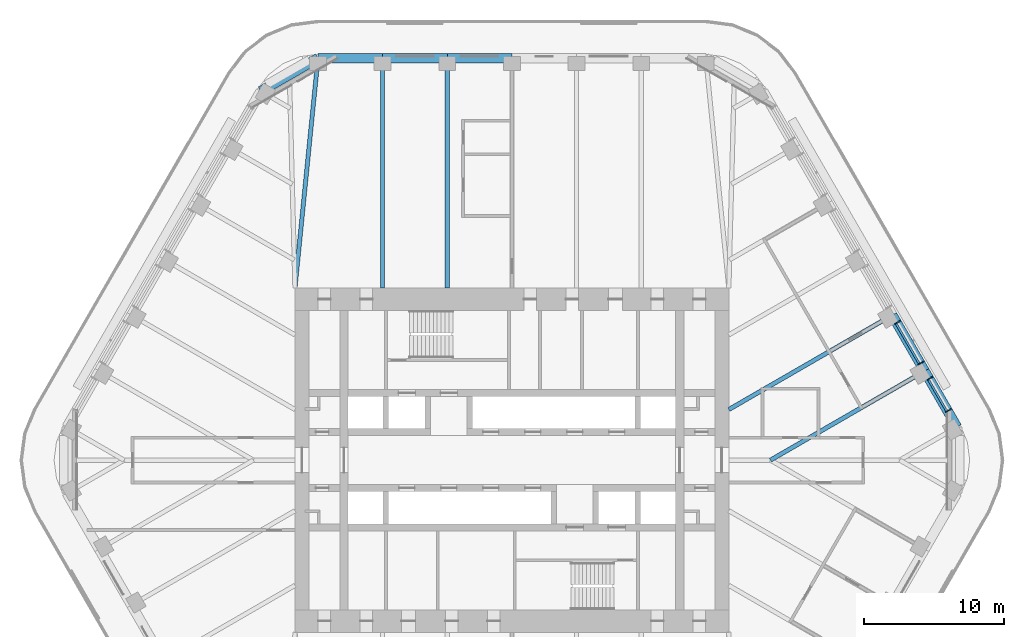
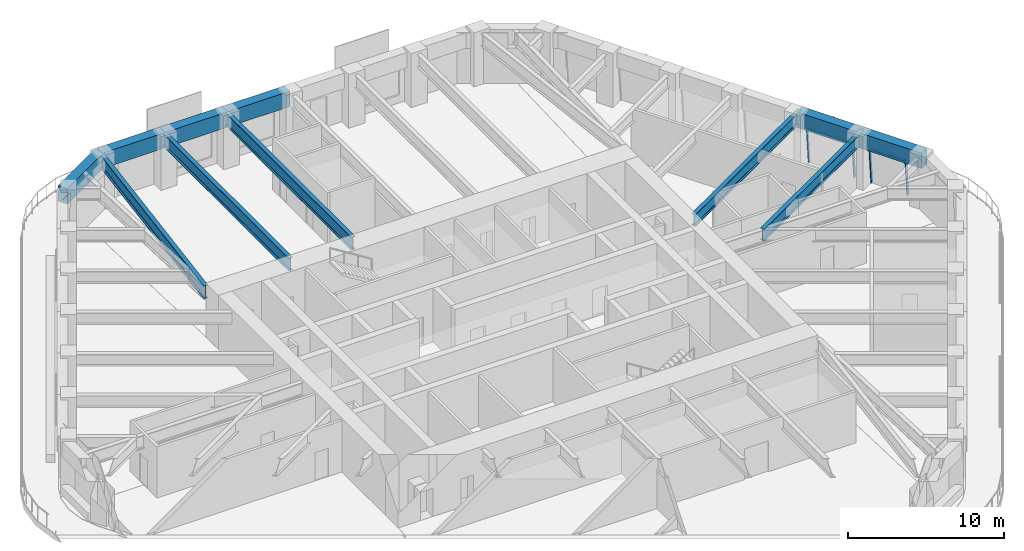
# One storey, part 9 of 20: 11 beams, 6 members, 2 elements without a shape of their own.
"""IFC4 building model written with IfcOpenShell, lengths in metres."""

import ifcopenshell
import ifcopenshell.guid

model = None  # the IFC model being written
_history = None  # IfcOwnerHistory: only IFC2X3 demands one
_inside = {}  # id of a spatial element -> (the spatial element, [elements in it])
_under = {}  # id of a project, library or spatial element -> (it, [spatial elements below it])
_declared = {}  # id of a project -> (the project, [libraries it declares])
_typed = {}  # id of a type object -> (the type object, [elements of that type])
_made_of = {}  # id of a material, layer set ... -> (it, [elements and type objects made of it])


def new_model(schema):
    """Start an empty IFC model of exactly this schema.

    Asked for "IFC4X3", IfcOpenShell would pick the latest addendum, in which some entities
    have other attributes; the version numbers below select the first issue.
    IFC2X3 requires an IfcOwnerHistory on every rooted entity: one is made here for all.
    """
    global model, _history
    if schema == "IFC4X3":
        model = ifcopenshell.file(schema_version=(4, 3, 0, 0))
    else:
        model = ifcopenshell.file(schema=schema)
    _inside.clear()
    _under.clear()
    _declared.clear()
    _typed.clear()
    _made_of.clear()
    _history = None
    if model.schema == "IFC2X3":
        org = make("IfcOrganization", Name="unknown")
        user = make(
            "IfcPersonAndOrganization",
            ThePerson=make("IfcPerson", FamilyName="unknown"),
            TheOrganization=org,
        )
        app = make(
            "IfcApplication",
            ApplicationDeveloper=org,
            Version="unknown",
            ApplicationFullName="unknown",
            ApplicationIdentifier="unknown",
        )
        _history = make(
            "IfcOwnerHistory",
            OwningUser=user,
            OwningApplication=app,
            ChangeAction="ADDED",
            CreationDate=0,
        )
    return model


def make(cls, **values):
    """One entity of the class cls with the attributes given. An attribute that is None is left unset."""
    return model.create_entity(
        cls, **{name: value for name, value in values.items() if value is not None}
    )


def rooted(cls, **values):
    """An entity with a GlobalId (a new one), such as an element, a storey or a relation."""
    return make(cls, GlobalId=ifcopenshell.guid.new(), OwnerHistory=_history, **values)


def si_unit(unit_type, name, prefix=None):
    """IfcSIUnit, for example si_unit("LENGTHUNIT", "METRE", prefix="MILLI")."""
    return make("IfcSIUnit", UnitType=unit_type, Prefix=prefix, Name=name)


def assignment(units):
    """IfcUnitAssignment: the units of a project."""
    return None if units is None else make("IfcUnitAssignment", Units=units)


def point(xyz):
    """IfcCartesianPoint."""
    return None if xyz is None else make("IfcCartesianPoint", Coordinates=xyz)


def direction(xyz):
    """IfcDirection."""
    return None if xyz is None else make("IfcDirection", DirectionRatios=xyz)


def frame(location, z_axis=None, x_axis=None):
    """IfcAxis2Placement3D, a coordinate frame: its origin and axes. An axis left out is left unset."""
    return make(
        "IfcAxis2Placement3D",
        Location=point(location),
        Axis=direction(z_axis),
        RefDirection=direction(x_axis),
    )


def frame_2d(location, x_axis=None):
    """IfcAxis2Placement2D, a coordinate frame in the plane: its origin and x axis."""
    return make(
        "IfcAxis2Placement2D", Location=point(location), RefDirection=direction(x_axis)
    )


def origin():
    """The frame at (0, 0, 0) with its axes left unset."""
    return frame((0.0, 0.0, 0.0))


def origin_2d():
    """The frame at (0, 0) in the plane with its x axis left unset."""
    return frame_2d((0.0, 0.0))


def place(relative_to, where):
    """IfcLocalPlacement: puts the frame where relative to a parent placement (None: the world)."""
    return make(
        "IfcLocalPlacement", PlacementRelTo=relative_to, RelativePlacement=where
    )


def context(
    kind, dimensions, precision=None, world=None, true_north=None, identifier=None
):
    """IfcGeometricRepresentationContext, for example the 3D "Model" context."""
    return make(
        "IfcGeometricRepresentationContext",
        ContextIdentifier=identifier,
        ContextType=kind,
        CoordinateSpaceDimension=dimensions,
        Precision=precision,
        WorldCoordinateSystem=world,
        TrueNorth=true_north,
    )


def subcontext(parent, identifier, kind, view, scale=None):
    """IfcGeometricRepresentationSubContext, for example "Body" below "Model"."""
    return make(
        "IfcGeometricRepresentationSubContext",
        ContextIdentifier=identifier,
        ContextType=kind,
        ParentContext=parent,
        TargetScale=scale,
        TargetView=view,
    )


def project(units=None, contexts=None):
    """IfcProject with its units and contexts."""
    return rooted(
        "IfcProject",
        Name="project",
        RepresentationContexts=contexts,
        UnitsInContext=assignment(units),
    )


def spatial(cls, under=None, at=None, **own):
    """A site, building, storey or space (cls), placed at a placement, below another one or the project."""
    s = rooted(cls, ObjectPlacement=at, **own)
    if under is not None:
        _under.setdefault(under.id(), (under, []))[1].append(s)
    return s


def profile(cls, at=None, kind="AREA", **sizes):
    """A parametric profile (cls). Its sizes go by their IFC names, for example OverallWidth=200.0."""
    return make(cls, ProfileType=kind, Position=at, **sizes)


def rectangle(**sizes):
    """IfcRectangleProfileDef."""
    return profile("IfcRectangleProfileDef", **sizes)


def i_section(**sizes):
    """IfcIShapeProfileDef."""
    return profile("IfcIShapeProfileDef", **sizes)


def extrude(swept, where, along, depth):
    """IfcExtrudedAreaSolid: the profile swept, set in the frame where, extruded along a direction by depth."""
    return make(
        "IfcExtrudedAreaSolid",
        SweptArea=swept,
        Position=where,
        ExtrudedDirection=direction(along),
        Depth=depth,
    )


def shape(context_of_items, identifier, shape_type, items):
    """IfcShapeRepresentation: the items that make up one representation, for example the "Body"."""
    return make(
        "IfcShapeRepresentation",
        ContextOfItems=context_of_items,
        RepresentationIdentifier=identifier,
        RepresentationType=shape_type,
        Items=items,
    )


def material(Name=None, Category=None):
    """IfcMaterial."""
    return make("IfcMaterial", Name=Name, Category=Category)


def material_profile(
    of_material, cross_section, Name=None, Category=None, Priority=None
):
    """IfcMaterialProfile: a cross section and its material."""
    return make(
        "IfcMaterialProfile",
        Name=Name,
        Material=of_material,
        Profile=cross_section,
        Priority=Priority,
        Category=Category,
    )


def profile_set(profiles, Name=None, composite=None):
    """IfcMaterialProfileSet."""
    return make(
        "IfcMaterialProfileSet",
        Name=Name,
        MaterialProfiles=profiles,
        CompositeProfile=composite,
    )


def made_of(thing, what):
    """Note that an element or type object is made of a material, layer set ...; save() writes the relation."""
    if what is not None:
        _made_of.setdefault(what.id(), (what, []))[1].append(thing)
    return thing


def type_object(cls, material=None, **own):
    """A type object (cls), such as IfcWallType, which elements share."""
    return made_of(rooted(cls, **own), material)


def element(
    cls,
    number,
    at=None,
    inside=None,
    cuts=None,
    type_object=None,
    material=None,
    context=None,
    identifier="Body",
    shape_type=None,
    held_by="IfcProductDefinitionShape",
    body=None,
    shapes=None,
    **own,
):
    """One element of the class cls, such as IfcWall. Its Tag is "e" and its number.

    at: its placement. inside: the storey or other place that contains it. cuts: it is an
    opening in that element (IfcRelVoidsElement). A single representation is given by context,
    identifier, shape_type and body (its items); several are given by shapes. held_by: the class
    of the entity that holds the representations. save() writes the other relations.
    """
    e = rooted(cls, Tag="e%d" % number, ObjectPlacement=at, **own)
    if body is not None:
        shapes = [shape(context, identifier, shape_type, body)]
    if shapes is not None:
        e.Representation = make(held_by, Representations=shapes)
    if inside is not None:
        _inside.setdefault(inside.id(), (inside, []))[1].append(e)
    if cuts is not None:
        rooted(
            "IfcRelVoidsElement", RelatingBuildingElement=cuts, RelatedOpeningElement=e
        )
    if type_object is not None:
        _typed.setdefault(type_object.id(), (type_object, []))[1].append(e)
    return made_of(e, material)


def aggregate(whole, parts):
    """IfcRelAggregates: a whole, such as a stair, and the parts it consists of."""
    return rooted("IfcRelAggregates", RelatingObject=whole, RelatedObjects=parts)


def save(model, path):
    """Write the relations noted so far, then the file.

    IfcRelAggregates (storeys below a building ...), IfcRelContainedInSpatialStructure (elements
    in a storey), IfcRelDefinesByType, IfcRelAssociatesMaterial and IfcRelDeclares: one each for
    every whole, place, type object, material and project.
    """
    for whole, parts in _under.values():
        aggregate(whole, parts)
    for where, things in _inside.values():
        rooted(
            "IfcRelContainedInSpatialStructure",
            RelatedElements=things,
            RelatingStructure=where,
        )
    for kind, things in _typed.values():
        rooted("IfcRelDefinesByType", RelatedObjects=things, RelatingType=kind)
    for what, things in _made_of.values():
        rooted("IfcRelAssociatesMaterial", RelatedObjects=things, RelatingMaterial=what)
    for by, libraries in _declared.values():
        rooted("IfcRelDeclares", RelatingContext=by, RelatedDefinitions=libraries)
    model.write(path)


model = new_model("IFC4")

# Units and contexts
model_context = context("Model", 3, precision=1e-05, world=origin(), true_north=direction((0.0, 1.0)))
body_context = subcontext(model_context, "Body", "Model", "MODEL_VIEW")
ifc_project = project(units=[si_unit("LENGTHUNIT", "METRE"), si_unit("AREAUNIT", "SQUARE_METRE"), si_unit("VOLUMEUNIT", "CUBIC_METRE"), si_unit("PLANEANGLEUNIT", "RADIAN"), si_unit("MASSUNIT", "GRAM", prefix="KILO")], contexts=[model_context])

# Site, building, storey
site_placement = place(None, origin())
site = spatial("IfcSite", under=ifc_project, at=site_placement, CompositionType="ELEMENT")
building_placement = place(site_placement, origin())
building = spatial("IfcBuilding", under=site, at=building_placement, Name="Tarfa Lantern Tower", CompositionType="ELEMENT")
storey_placement = place(building_placement, frame((0.0, 0.0, 265.89990234375)))
storey = spatial("IfcBuildingStorey", under=building, at=storey_placement, Name="L60", CompositionType="ELEMENT", Elevation=265.89990234375)

# Curtain wall, members
ifc_material_1 = material(Name="Aluminium framed curtain wall", Category="aluminium")
curtain_wall_type = type_object("IfcCurtainWallType", Name="CW3 CANTED GLAZING HIGH ZONE 2800", PredefinedType="USERDEFINED", material=ifc_material_1)
curtain_wall_1_placement = place(storey_placement, origin())
curtain_wall_1 = element("IfcCurtainWall", 1, at=curtain_wall_1_placement, inside=storey, type_object=curtain_wall_type, Name="CW3 NE L60", ObjectType="CURTAIN WALL", PredefinedType="USERDEFINED")
ifc_material_2 = material(Name="Aluminium mullion", Category="aluminium")
ifc_material_profile_1 = material_profile(ifc_material_2, rectangle(XDim=0.06494140625, YDim=0.199951171875, at=origin_2d()), Name="AL MULLION 65x200")
ifc_profile_set_1 = profile_set([ifc_material_profile_1], Name="Aluminium mullion")
member_type_1 = type_object("IfcMemberType", Name="CWM1 MULLION 65x200", PredefinedType="MULLION", material=ifc_profile_set_1)
member_1_placement = place(storey_placement, frame((31.2900390625, 3.60400390625, 0.0), z_axis=(-0.077032386753, -0.044465143199, 0.996036576854), x_axis=(0.499919672301, -0.866071776036, 0.0)))
member_1 = element("IfcMember", 2, at=member_1_placement, type_object=member_type_1, Name="CW3 mullion 1", PredefinedType="MULLION", context=body_context, shape_type="SweptSolid", body=[
    extrude(rectangle(XDim=0.06494140625, YDim=0.199951171875, at=origin_2d()), origin(), (0.0, 0.0, 1.0), 2.811279296875),
])
member_2_placement = place(storey_placement, frame((29.963134765625, 5.90234375, 0.0), z_axis=(-0.077032386753, -0.044465143199, 0.996036576854), x_axis=(0.499919672301, -0.866071776036, 0.0)))
member_2 = element("IfcMember", 3, at=member_2_placement, type_object=member_type_1, Name="CW3 mullion 2", PredefinedType="MULLION", context=body_context, shape_type="SweptSolid", body=[
    extrude(rectangle(XDim=0.06494140625, YDim=0.199951171875, at=origin_2d()), origin(), (0.0, 0.0, 1.0), 2.811279296875),
])

curtain_wall_2_placement = place(storey_placement, origin())
curtain_wall_2 = element("IfcCurtainWall", 4, at=curtain_wall_2_placement, inside=storey, type_object=curtain_wall_type, Name="CW3 NE L60", ObjectType="CURTAIN WALL", PredefinedType="USERDEFINED")
member_3_placement = place(storey_placement, frame((29.33056640625, 6.997802734375, 0.0), z_axis=(-0.076946055247, -0.044465440504, 0.996043236603), x_axis=(0.500342721131, -0.865827443207, 0.0)))
member_3 = element("IfcMember", 5, at=member_3_placement, type_object=member_type_1, Name="CW3 mullion 1", PredefinedType="MULLION", context=body_context, shape_type="SweptSolid", body=[
    extrude(rectangle(XDim=0.06494140625, YDim=0.199951171875, at=origin_2d()), origin(), (0.0, 0.0, 1.0), 2.811279296875),
])
member_4_placement = place(storey_placement, frame((27.65380859375, 9.90234375, 0.0), z_axis=(-0.077032386753, -0.044465143199, 0.996036576854), x_axis=(0.499919672301, -0.866071776036, 0.0)))
member_4 = element("IfcMember", 6, at=member_4_placement, type_object=member_type_1, Name="CW3 mullion 2", PredefinedType="MULLION", context=body_context, shape_type="SweptSolid", body=[
    extrude(rectangle(XDim=0.06494140625, YDim=0.199951171875, at=origin_2d()), origin(), (0.0, 0.0, 1.0), 2.811279296875),
])

# Member
ifc_material_3 = material(Name="Aluminium transom", Category="aluminium")
ifc_material_profile_2 = material_profile(ifc_material_3, rectangle(XDim=0.14990234375, YDim=0.06494140625, at=origin_2d()), Name="AL TRANSOM 150x65")
ifc_profile_set_2 = profile_set([ifc_material_profile_2], Name="Aluminium transom")
member_type_2 = type_object("IfcMemberType", Name="CWT1 TRANSOM 150x65", PredefinedType="USERDEFINED", material=ifc_profile_set_2)
member_5_placement = place(storey_placement, frame((31.059814453125, 3.508544921875, 2.767578125), z_axis=(-0.5000136139, 0.866017543653, 0.0), x_axis=(-0.866017543653, -0.5000136139, 0.0)))
member_5 = element("IfcMember", 7, at=member_5_placement, type_object=member_type_2, Name="CW3 transom 1.2", ObjectType="TRANSOM", PredefinedType="USERDEFINED", context=body_context, shape_type="SweptSolid", body=[
    extrude(rectangle(XDim=0.14990234375, YDim=0.06494140625, at=origin_2d()), origin(), (0.0, 0.0, 1.0), 2.5888671875),
])

aggregate(curtain_wall_1, [member_1, member_2, member_5])

member_6_placement = place(storey_placement, frame((29.100341796875, 6.90234375, 2.767578125), z_axis=(-0.499979497339, 0.866037240677, 0.0), x_axis=(-0.866037240677, -0.499979497339, 0.0)))
member_6 = element("IfcMember", 8, at=member_6_placement, type_object=member_type_2, Name="CW3 transom 1.2", ObjectType="TRANSOM", PredefinedType="USERDEFINED", context=body_context, shape_type="SweptSolid", body=[
    extrude(rectangle(XDim=0.14990234375, YDim=0.06494140625, at=origin_2d()), origin(), (0.0, 0.0, 1.0), 3.288818359375),
])

aggregate(curtain_wall_2, [member_3, member_4, member_6])

# Beams
ifc_material_4 = material(Name="Concrete C80/95", Category="concrete")
ifc_material_profile_3 = material_profile(ifc_material_4, rectangle(XDim=0.699951171875, YDim=1.199951171875, at=origin_2d()), Name="RC 700x1200")
ifc_profile_set_3 = profile_set([ifc_material_profile_3], Name="Concrete C80/95")
beam_type_1 = type_object("IfcBeamType", Name="EB3 RC 700x1200", PredefinedType="SPANDREL", material=ifc_profile_set_3)
beam_1_placement = place(storey_placement, frame((31.800537109375, 2.360107421875, 3.400146484375), z_axis=(-0.500027479704, 0.866009537788, 0.0), x_axis=(-0.866009537788, -0.500027479704, 0.0)))
element("IfcBeam", 9, at=beam_1_placement, inside=storey, type_object=beam_type_1, Name="Edge beam NE0", PredefinedType="SPANDREL", context=body_context, shape_type="SweptSolid", body=[
    extrude(rectangle(XDim=0.699951171875, YDim=1.199951171875, at=origin_2d()), origin(), (0.0, 0.0, 1.0), 4.618896484375),
])
beam_2_placement = place(storey_placement, frame((29.490966796875, 6.360107421875, 3.400146484375), z_axis=(-0.499987836815, 0.866032426089, 0.0), x_axis=(-0.866032426089, -0.499987836815, 0.0)))
element("IfcBeam", 10, at=beam_2_placement, inside=storey, type_object=beam_type_1, Name="Edge beam NE1", PredefinedType="SPANDREL", context=body_context, shape_type="SweptSolid", body=[
    extrude(rectangle(XDim=0.699951171875, YDim=1.199951171875, at=origin_2d()), origin(), (0.0, 0.0, 1.0), 4.61865234375),
])
beam_3_placement = place(storey_placement, frame((0.0, 28.719970703125, 3.400146484375), z_axis=(-1.0, 0.0, 0.0), x_axis=(0.0, -1.0, 0.0)))
element("IfcBeam", 11, at=beam_3_placement, inside=storey, type_object=beam_type_1, Name="Edge beam N3", PredefinedType="SPANDREL", context=body_context, shape_type="SweptSolid", body=[
    extrude(rectangle(XDim=0.699951171875, YDim=1.199951171875, at=origin_2d()), origin(), (0.0, 0.0, 1.0), 4.618896484375),
])
beam_4_placement = place(storey_placement, frame((-4.618896484375, 28.719970703125, 3.400146484375), z_axis=(-1.0, 0.0, 0.0), x_axis=(0.0, -1.0, 0.0)))
element("IfcBeam", 12, at=beam_4_placement, inside=storey, type_object=beam_type_1, Name="Edge beam N4", PredefinedType="SPANDREL", context=body_context, shape_type="SweptSolid", body=[
    extrude(rectangle(XDim=0.699951171875, YDim=1.199951171875, at=origin_2d()), origin(), (0.0, 0.0, 1.0), 4.61865234375),
])
beam_5_placement = place(storey_placement, frame((-9.237548828125, 28.719970703125, 3.400146484375), z_axis=(-1.0, 0.0, 0.0), x_axis=(0.0, -1.0, 0.0)))
element("IfcBeam", 13, at=beam_5_placement, inside=storey, type_object=beam_type_1, Name="Edge beam N5", PredefinedType="SPANDREL", context=body_context, shape_type="SweptSolid", body=[
    extrude(rectangle(XDim=0.699951171875, YDim=1.199951171875, at=origin_2d()), origin(), (0.0, 0.0, 1.0), 4.618896484375),
])
beam_6_placement = place(storey_placement, frame((-13.8564453125, 28.719970703125, 3.400146484375), z_axis=(-0.866038294681, -0.499977671647, 0.0), x_axis=(0.499977671647, -0.866038294681, 0.0)))
element("IfcBeam", 14, at=beam_6_placement, inside=storey, type_object=beam_type_1, Name="Edge beam N6", PredefinedType="SPANDREL", context=body_context, shape_type="SweptSolid", body=[
    extrude(rectangle(XDim=0.699951171875, YDim=1.199951171875, at=origin_2d()), origin(), (0.0, 0.0, 1.0), 4.719970703125),
])
ifc_material_5 = material(Name="Steel S460M", Category="steel")
ifc_material_profile_4 = material_profile(ifc_material_5, i_section(OverallWidth=0.302001953125, OverallDepth=1.008056640625, WebThickness=0.02099609375, FlangeThickness=0.0400390625, FilletRadius=0.030029296875, at=origin_2d()), Name="UB1016x305x349")
ifc_profile_set_4 = profile_set([ifc_material_profile_4], Name="Steel S460M")
beam_type_2 = type_object("IfcBeamType", Name="UB1016x305x349", PredefinedType="BEAM", material=ifc_profile_set_4)
for number, where, z_axis, x_axis, name in (
    (15, (-4.618896484375, 28.719970703125, 3.49609375), (0.0, -1.0, 0.0), (1.0, 0.0, 0.0), "Floor beam N4"),
    (16, (-9.237548828125, 28.719970703125, 3.49609375), (0.0, -1.0, 0.0), (1.0, 0.0, 0.0), "Floor beam N5"),
):
    element("IfcBeam", number, at=place(storey_placement, frame(where, z_axis=z_axis, x_axis=x_axis)), inside=storey, type_object=beam_type_2, Name=name, PredefinedType="BEAM", context=body_context, shape_type="SweptSolid", body=[
        extrude(i_section(OverallWidth=0.302001953125, OverallDepth=1.008056640625, WebThickness=0.02099609375, FlangeThickness=0.0400390625, FilletRadius=0.030029296875, at=origin_2d()), origin(), (0.0, 0.0, 1.0), 16.419921875),
    ])
beam_7_placement = place(storey_placement, frame((-13.8564453125, 28.719970703125, 3.49609375), z_axis=(-0.099597466746, -0.995027810977, 0.0), x_axis=(0.995027810977, -0.099597466746, 0.0)))
element("IfcBeam", 17, at=beam_7_placement, inside=storey, type_object=beam_type_2, Name="Floor beam N6", PredefinedType="BEAM", context=body_context, shape_type="SweptSolid", body=[
    extrude(i_section(OverallWidth=0.302001953125, OverallDepth=1.008056640625, WebThickness=0.02099609375, FlangeThickness=0.0400390625, FilletRadius=0.030029296875, at=origin_2d()), origin(), (0.0, 0.0, 1.0), 16.501953125),
])
ifc_material_profile_5 = material_profile(ifc_material_5, i_section(OverallWidth=0.305419921875, OverallDepth=0.91845703125, WebThickness=0.017333984375, FlangeThickness=0.02783203125, FilletRadius=0.01904296875, at=origin_2d()), Name="UB914x305x253")
ifc_profile_set_5 = profile_set([ifc_material_profile_5], Name="Steel S460M")
beam_type_3 = type_object("IfcBeamType", Name="UB914x305x253", PredefinedType="BEAM", material=ifc_profile_set_5)
beam_8_placement = place(storey_placement, frame((29.490966796875, 6.360107421875, 3.541015625), z_axis=(-0.866022258038, -0.500005448553, 0.0), x_axis=(0.500005448553, -0.866022258038, 0.0)))
element("IfcBeam", 18, at=beam_8_placement, inside=storey, type_object=beam_type_3, Name="Floor beam NE1", PredefinedType="BEAM", context=body_context, shape_type="SweptSolid", body=[
    extrude(i_section(OverallWidth=0.305419921875, OverallDepth=0.91845703125, WebThickness=0.017333984375, FlangeThickness=0.02783203125, FilletRadius=0.01904296875, at=origin_2d()), origin(), (0.0, 0.0, 1.0), 12.719970703125),
])
beam_9_placement = place(storey_placement, frame((27.181640625, 10.360107421875, 3.541015625), z_axis=(-0.866018002818, -0.500012818631, 0.0), x_axis=(0.500012818631, -0.866018002818, 0.0)))
element("IfcBeam", 19, at=beam_9_placement, inside=storey, type_object=beam_type_3, Name="Floor beam NE2", PredefinedType="BEAM", context=body_context, shape_type="SweptSolid", body=[
    extrude(i_section(OverallWidth=0.305419921875, OverallDepth=0.91845703125, WebThickness=0.017333984375, FlangeThickness=0.02783203125, FilletRadius=0.01904296875, at=origin_2d()), origin(), (0.0, 0.0, 1.0), 13.489013671875),
])

save(model, "model.ifc")
